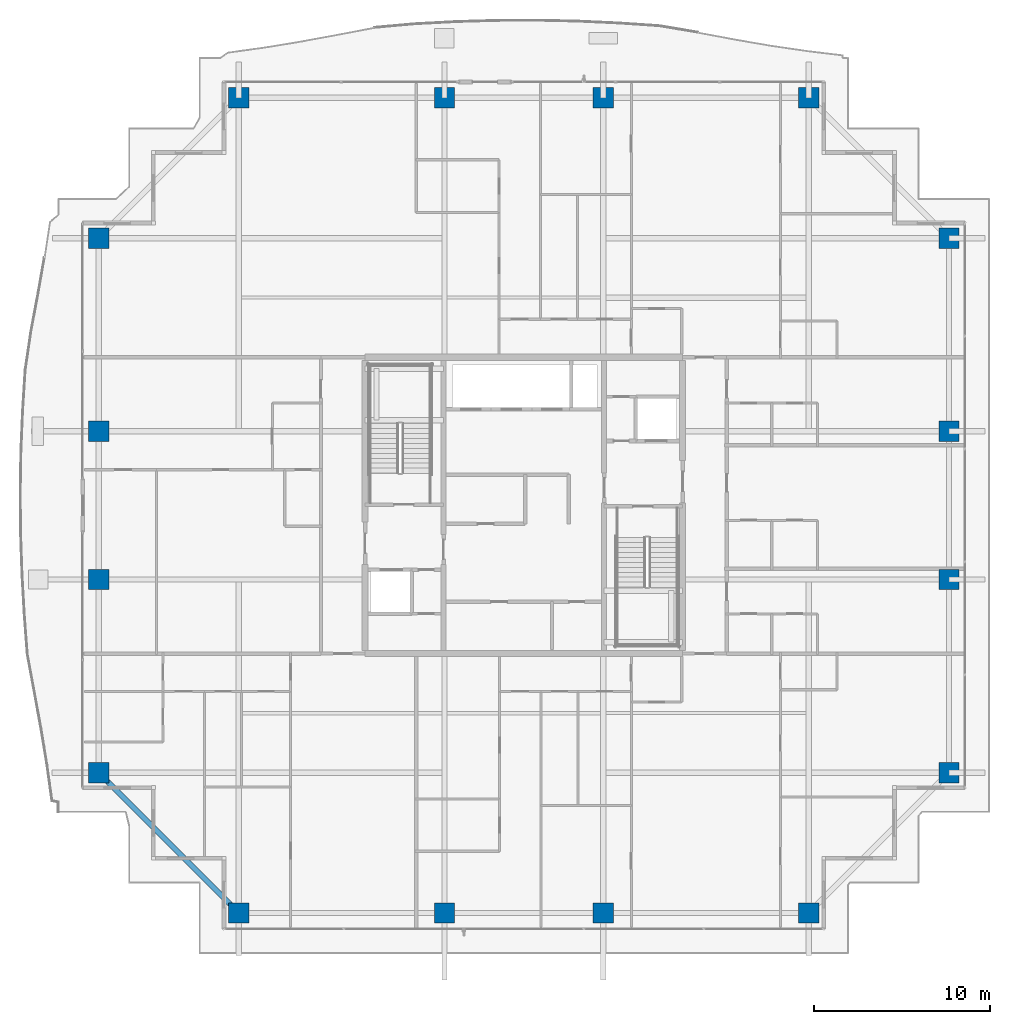
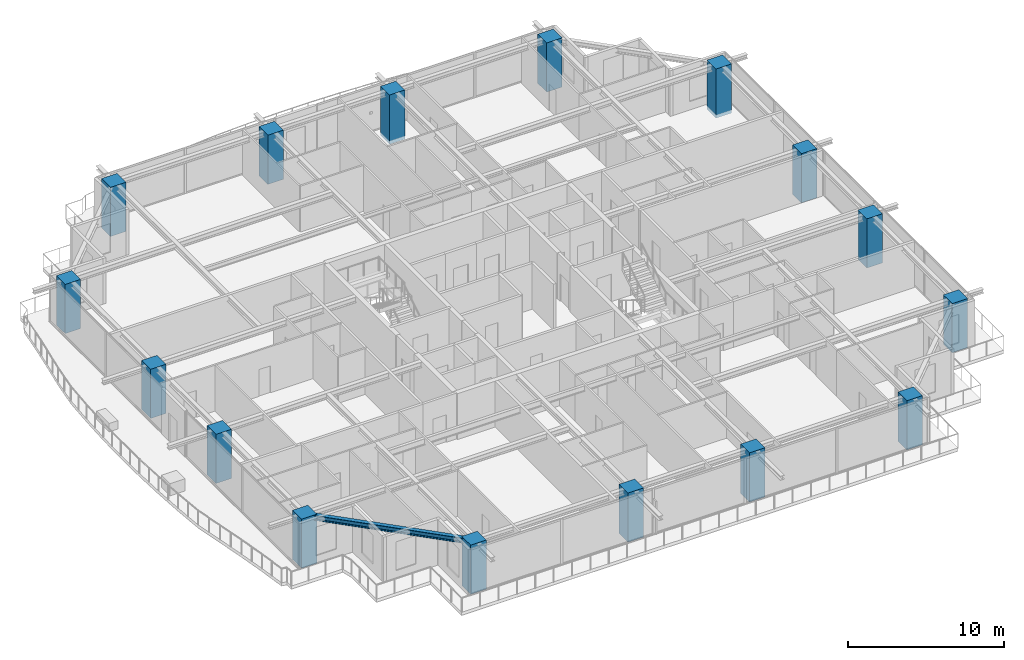
# One storey, part 1 of 40: 16 columns, 1 beam.
"""IFC4 building model written with IfcOpenShell, lengths in metres."""

from ifc_helpers import new_model, si_unit, direction, frame, origin, origin_2d, place, context, subcontext, project, spatial, rectangle, i_section, extrude, source, transform, mapped, material, material_profile, profile_set, type_object, element, save


model = new_model("IFC4")

# Units and contexts
model_context = context("Model", 3, precision=1e-05, world=origin(), true_north=direction((0.0, 1.0)))
body_context = subcontext(model_context, "Body", "Model", "MODEL_VIEW")
ifc_project = project(units=[si_unit("LENGTHUNIT", "METRE"), si_unit("AREAUNIT", "SQUARE_METRE"), si_unit("VOLUMEUNIT", "CUBIC_METRE"), si_unit("PLANEANGLEUNIT", "RADIAN"), si_unit("MASSUNIT", "GRAM", prefix="KILO")], contexts=[model_context])

# Site, building, storey
site_placement = place(None, origin())
site = spatial("IfcSite", under=ifc_project, at=site_placement, CompositionType="ELEMENT")
building_placement = place(site_placement, origin())
building = spatial("IfcBuilding", under=site, at=building_placement, Name="Serunith Strait Residences", CompositionType="ELEMENT")
storey_placement = place(building_placement, frame((0.0, 0.0, 252.800048828125)))
storey = spatial("IfcBuildingStorey", under=building, at=storey_placement, Name="L63", CompositionType="ELEMENT", Elevation=252.800048828125)

# Columns
ifc_material_1 = material(Name="Concrete C80/95", Category="concrete")
ifc_material_profile_1 = material_profile(ifc_material_1, rectangle(XDim=1.14990234375, YDim=1.14990234375, at=origin_2d()), Name="RC 1150x1150")
ifc_profile_set_1 = profile_set([ifc_material_profile_1], Name="Concrete C80/95")
column_type = type_object("IfcColumnType", Name="COL-RC-1150", PredefinedType="COLUMN", material=ifc_profile_set_1)
shared_shape_1 = source(origin(), body_context, "Body", "SweptSolid", [
    extrude(rectangle(XDim=1.14990234375, YDim=1.14990234375, at=origin_2d()), origin(), (0.0, 0.0, 1.0), 3.849853515625),
])
for number, where, z_axis, x_axis, name in (
    (1, (16.25, 2.10009765625, -0.260009765625), (0.0, 0.0, 1.0), (1.0, 0.0, 0.0), "L63 Tower Mega-Column TC-S1"),
    (2, (27.89990234375, 2.10009765625, -0.260009765625), (0.0, 0.0, 1.0), (1.0, 0.0, 0.0), "L63 Tower Mega-Column TC-S2"),
    (3, (36.89990234375, 2.10009765625, -0.260009765625), (0.0, 0.0, 1.0), (1.0, 0.0, 0.0), "L63 Tower Mega-Column TC-S3"),
    (4, (48.550048828125, 2.10009765625, -0.260009765625), (0.0, 0.0, 1.0), (1.0, 0.0, 0.0), "L63 Tower Mega-Column TC-S4"),
    (5, (16.25, 48.300048828125, -0.260009765625), (0.0, 0.0, 1.0), (1.0, 0.0, 0.0), "L63 Tower Mega-Column TC-N1"),
    (6, (27.89990234375, 48.300048828125, -0.260009765625), (0.0, 0.0, 1.0), (1.0, 0.0, 0.0), "L63 Tower Mega-Column TC-N2"),
    (7, (36.89990234375, 48.300048828125, -0.260009765625), (0.0, 0.0, 1.0), (1.0, 0.0, 0.0), "L63 Tower Mega-Column TC-N3"),
    (8, (48.550048828125, 48.300048828125, -0.260009765625), (0.0, 0.0, 1.0), (1.0, 0.0, 0.0), "L63 Tower Mega-Column TC-N4"),
    (9, (56.5, 10.050048828125, -0.260009765625), (0.0, 0.0, 1.0), (1.0, 0.0, 0.0), "L63 Tower Mega-Column TC-E1"),
    (10, (56.5, 21.0, -0.260009765625), (0.0, 0.0, 1.0), (1.0, 0.0, 0.0), "L63 Tower Mega-Column TC-E2"),
    (11, (56.5, 29.39990234375, -0.260009765625), (0.0, 0.0, 1.0), (1.0, 0.0, 0.0), "L63 Tower Mega-Column TC-E3"),
    (12, (56.5, 40.35009765625, -0.260009765625), (0.0, 0.0, 1.0), (1.0, 0.0, 0.0), "L63 Tower Mega-Column TC-E4"),
    (13, (8.300048828125, 10.050048828125, -0.260009765625), (0.0, 0.0, 1.0), (1.0, 0.0, 0.0), "L63 Tower Mega-Column TC-W1"),
    (14, (8.300048828125, 21.0, -0.260009765625), (0.0, 0.0, 1.0), (1.0, 0.0, 0.0), "L63 Tower Mega-Column TC-W2"),
    (15, (8.300048828125, 29.39990234375, -0.260009765625), (0.0, 0.0, 1.0), (1.0, 0.0, 0.0), "L63 Tower Mega-Column TC-W3"),
    (16, (8.300048828125, 40.35009765625, -0.260009765625), (0.0, 0.0, 1.0), (1.0, 0.0, 0.0), "L63 Tower Mega-Column TC-W4"),
):
    element("IfcColumn", number, at=place(storey_placement, frame(where, z_axis=z_axis, x_axis=x_axis)), inside=storey, type_object=column_type, Name=name, PredefinedType="COLUMN", context=body_context, shape_type="MappedRepresentation", body=[
        mapped(shared_shape_1, transform((0.0, 0.0, 0.0), scale=1.0)),
    ])

# Beam
ifc_material_2 = material(Name="Steel S355J2", Category="steel")
ifc_material_profile_2 = material_profile(ifc_material_2, i_section(OverallWidth=0.300048828125, OverallDepth=0.39990234375, WebThickness=0.013427734375, FlangeThickness=0.02392578125, FilletRadius=0.027099609375, at=origin_2d()), Name="HEB 400")
ifc_profile_set_2 = profile_set([ifc_material_profile_2], Name="Steel S355J2")
beam_type = type_object("IfcBeamType", Name="BM-HEB400", PredefinedType="BEAM", material=ifc_profile_set_2)
shared_shape_2 = source(origin(), body_context, "Body", "SweptSolid", [
    extrude(i_section(OverallWidth=0.300048828125, OverallDepth=0.39990234375, WebThickness=0.013427734375, FlangeThickness=0.02392578125, FilletRadius=0.027099609375, at=origin_2d()), origin(), (0.0, 0.0, 1.0), 11.242919921875),
])
beam_placement = place(storey_placement, frame((8.300048828125, 10.050048828125, 3.35693359375), z_axis=(0.707106781187, -0.707106781187, 0.0), x_axis=(0.707106781187, 0.707106781187, 0.0)))
element("IfcBeam", 17, at=beam_placement, inside=storey, type_object=beam_type, Name="L63 Perimeter Ring Beam 16", PredefinedType="BEAM", context=body_context, shape_type="MappedRepresentation", body=[
    mapped(shared_shape_2, transform((0.0, 0.0, 0.0), scale=1.0)),
])

save(model, "model.ifc")
